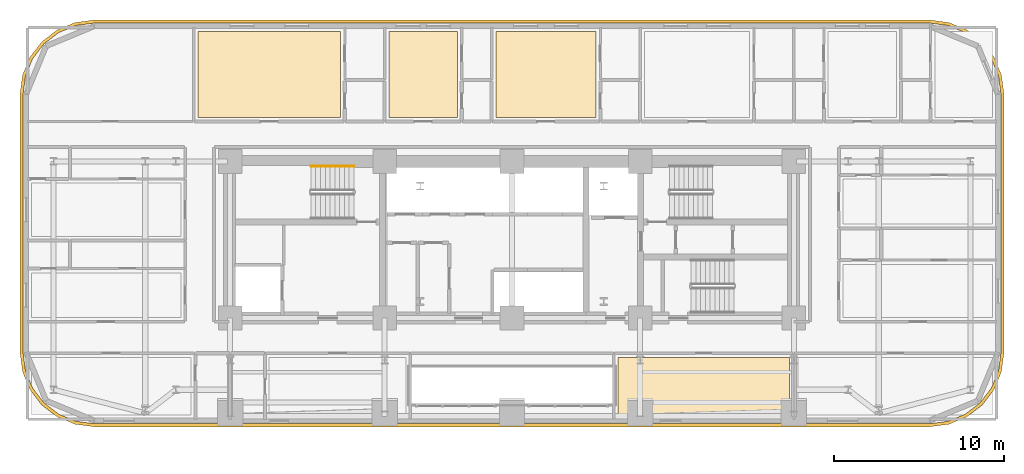
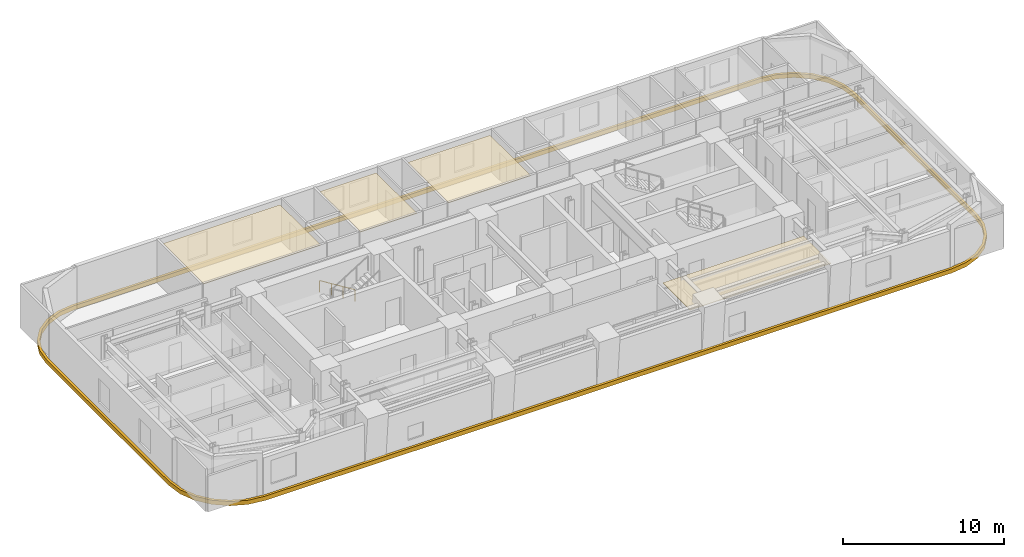
# One storey, part 14 of 15: 5 coverings, 1 railing.
"""IFC4 building model written with IfcOpenShell, lengths in metres."""

import ifcopenshell
import ifcopenshell.guid

model = None  # the IFC model being written
_history = None  # IfcOwnerHistory: only IFC2X3 demands one
_inside = {}  # id of a spatial element -> (the spatial element, [elements in it])
_under = {}  # id of a project, library or spatial element -> (it, [spatial elements below it])
_declared = {}  # id of a project -> (the project, [libraries it declares])
_typed = {}  # id of a type object -> (the type object, [elements of that type])
_made_of = {}  # id of a material, layer set ... -> (it, [elements and type objects made of it])


def new_model(schema):
    """Start an empty IFC model of exactly this schema.

    Asked for "IFC4X3", IfcOpenShell would pick the latest addendum, in which some entities
    have other attributes; the version numbers below select the first issue.
    IFC2X3 requires an IfcOwnerHistory on every rooted entity: one is made here for all.
    """
    global model, _history
    if schema == "IFC4X3":
        model = ifcopenshell.file(schema_version=(4, 3, 0, 0))
    else:
        model = ifcopenshell.file(schema=schema)
    _inside.clear()
    _under.clear()
    _declared.clear()
    _typed.clear()
    _made_of.clear()
    _history = None
    if model.schema == "IFC2X3":
        org = make("IfcOrganization", Name="unknown")
        user = make(
            "IfcPersonAndOrganization",
            ThePerson=make("IfcPerson", FamilyName="unknown"),
            TheOrganization=org,
        )
        app = make(
            "IfcApplication",
            ApplicationDeveloper=org,
            Version="unknown",
            ApplicationFullName="unknown",
            ApplicationIdentifier="unknown",
        )
        _history = make(
            "IfcOwnerHistory",
            OwningUser=user,
            OwningApplication=app,
            ChangeAction="ADDED",
            CreationDate=0,
        )
    return model


def make(cls, **values):
    """One entity of the class cls with the attributes given. An attribute that is None is left unset."""
    return model.create_entity(
        cls, **{name: value for name, value in values.items() if value is not None}
    )


def rooted(cls, **values):
    """An entity with a GlobalId (a new one), such as an element, a storey or a relation."""
    return make(cls, GlobalId=ifcopenshell.guid.new(), OwnerHistory=_history, **values)


def si_unit(unit_type, name, prefix=None):
    """IfcSIUnit, for example si_unit("LENGTHUNIT", "METRE", prefix="MILLI")."""
    return make("IfcSIUnit", UnitType=unit_type, Prefix=prefix, Name=name)


def assignment(units):
    """IfcUnitAssignment: the units of a project."""
    return None if units is None else make("IfcUnitAssignment", Units=units)


def point(xyz):
    """IfcCartesianPoint."""
    return None if xyz is None else make("IfcCartesianPoint", Coordinates=xyz)


def direction(xyz):
    """IfcDirection."""
    return None if xyz is None else make("IfcDirection", DirectionRatios=xyz)


def frame(location, z_axis=None, x_axis=None):
    """IfcAxis2Placement3D, a coordinate frame: its origin and axes. An axis left out is left unset."""
    return make(
        "IfcAxis2Placement3D",
        Location=point(location),
        Axis=direction(z_axis),
        RefDirection=direction(x_axis),
    )


def frame_2d(location, x_axis=None):
    """IfcAxis2Placement2D, a coordinate frame in the plane: its origin and x axis."""
    return make(
        "IfcAxis2Placement2D", Location=point(location), RefDirection=direction(x_axis)
    )


def origin():
    """The frame at (0, 0, 0) with its axes left unset."""
    return frame((0.0, 0.0, 0.0))


def origin_2d():
    """The frame at (0, 0) in the plane with its x axis left unset."""
    return frame_2d((0.0, 0.0))


def place(relative_to, where):
    """IfcLocalPlacement: puts the frame where relative to a parent placement (None: the world)."""
    return make(
        "IfcLocalPlacement", PlacementRelTo=relative_to, RelativePlacement=where
    )


def context(
    kind, dimensions, precision=None, world=None, true_north=None, identifier=None
):
    """IfcGeometricRepresentationContext, for example the 3D "Model" context."""
    return make(
        "IfcGeometricRepresentationContext",
        ContextIdentifier=identifier,
        ContextType=kind,
        CoordinateSpaceDimension=dimensions,
        Precision=precision,
        WorldCoordinateSystem=world,
        TrueNorth=true_north,
    )


def subcontext(parent, identifier, kind, view, scale=None):
    """IfcGeometricRepresentationSubContext, for example "Body" below "Model"."""
    return make(
        "IfcGeometricRepresentationSubContext",
        ContextIdentifier=identifier,
        ContextType=kind,
        ParentContext=parent,
        TargetScale=scale,
        TargetView=view,
    )


def project(units=None, contexts=None):
    """IfcProject with its units and contexts."""
    return rooted(
        "IfcProject",
        Name="project",
        RepresentationContexts=contexts,
        UnitsInContext=assignment(units),
    )


def spatial(cls, under=None, at=None, **own):
    """A site, building, storey or space (cls), placed at a placement, below another one or the project."""
    s = rooted(cls, ObjectPlacement=at, **own)
    if under is not None:
        _under.setdefault(under.id(), (under, []))[1].append(s)
    return s


def polyline(points):
    """IfcPolyline through the points."""
    return make("IfcPolyline", Points=[point(p) for p in points])


def profile(cls, at=None, kind="AREA", **sizes):
    """A parametric profile (cls). Its sizes go by their IFC names, for example OverallWidth=200.0."""
    return make(cls, ProfileType=kind, Position=at, **sizes)


def rectangle(**sizes):
    """IfcRectangleProfileDef."""
    return profile("IfcRectangleProfileDef", **sizes)


def outline(outer, holes=None, kind="AREA"):
    """IfcArbitraryClosedProfileDef: a profile drawn as a closed curve; with holes, ...WithVoids."""
    if holes is None:
        return make("IfcArbitraryClosedProfileDef", ProfileType=kind, OuterCurve=outer)
    return make(
        "IfcArbitraryProfileDefWithVoids",
        ProfileType=kind,
        OuterCurve=outer,
        InnerCurves=holes,
    )


def extrude(swept, where, along, depth):
    """IfcExtrudedAreaSolid: the profile swept, set in the frame where, extruded along a direction by depth."""
    return make(
        "IfcExtrudedAreaSolid",
        SweptArea=swept,
        Position=where,
        ExtrudedDirection=direction(along),
        Depth=depth,
    )


def shape(context_of_items, identifier, shape_type, items):
    """IfcShapeRepresentation: the items that make up one representation, for example the "Body"."""
    return make(
        "IfcShapeRepresentation",
        ContextOfItems=context_of_items,
        RepresentationIdentifier=identifier,
        RepresentationType=shape_type,
        Items=items,
    )


def material(Name=None, Category=None):
    """IfcMaterial."""
    return make("IfcMaterial", Name=Name, Category=Category)


def layer(
    of_material, thickness, ventilated=None, Name=None, Category=None, Priority=None
):
    """IfcMaterialLayer: one layer of a wall or slab, of a material (None: an air gap)."""
    return make(
        "IfcMaterialLayer",
        Material=of_material,
        LayerThickness=thickness,
        IsVentilated=ventilated,
        Name=Name,
        Category=Category,
        Priority=Priority,
    )


def layer_set(layers, Name=None):
    """IfcMaterialLayerSet."""
    return make("IfcMaterialLayerSet", MaterialLayers=layers, LayerSetName=Name)


def made_of(thing, what):
    """Note that an element or type object is made of a material, layer set ...; save() writes the relation."""
    if what is not None:
        _made_of.setdefault(what.id(), (what, []))[1].append(thing)
    return thing


def type_object(cls, material=None, **own):
    """A type object (cls), such as IfcWallType, which elements share."""
    return made_of(rooted(cls, **own), material)


def element(
    cls,
    number,
    at=None,
    inside=None,
    cuts=None,
    type_object=None,
    material=None,
    context=None,
    identifier="Body",
    shape_type=None,
    held_by="IfcProductDefinitionShape",
    body=None,
    shapes=None,
    **own,
):
    """One element of the class cls, such as IfcWall. Its Tag is "e" and its number.

    at: its placement. inside: the storey or other place that contains it. cuts: it is an
    opening in that element (IfcRelVoidsElement). A single representation is given by context,
    identifier, shape_type and body (its items); several are given by shapes. held_by: the class
    of the entity that holds the representations. save() writes the other relations.
    """
    e = rooted(cls, Tag="e%d" % number, ObjectPlacement=at, **own)
    if body is not None:
        shapes = [shape(context, identifier, shape_type, body)]
    if shapes is not None:
        e.Representation = make(held_by, Representations=shapes)
    if inside is not None:
        _inside.setdefault(inside.id(), (inside, []))[1].append(e)
    if cuts is not None:
        rooted(
            "IfcRelVoidsElement", RelatingBuildingElement=cuts, RelatedOpeningElement=e
        )
    if type_object is not None:
        _typed.setdefault(type_object.id(), (type_object, []))[1].append(e)
    return made_of(e, material)


def aggregate(whole, parts):
    """IfcRelAggregates: a whole, such as a stair, and the parts it consists of."""
    return rooted("IfcRelAggregates", RelatingObject=whole, RelatedObjects=parts)


def save(model, path):
    """Write the relations noted so far, then the file.

    IfcRelAggregates (storeys below a building ...), IfcRelContainedInSpatialStructure (elements
    in a storey), IfcRelDefinesByType, IfcRelAssociatesMaterial and IfcRelDeclares: one each for
    every whole, place, type object, material and project.
    """
    for whole, parts in _under.values():
        aggregate(whole, parts)
    for where, things in _inside.values():
        rooted(
            "IfcRelContainedInSpatialStructure",
            RelatedElements=things,
            RelatingStructure=where,
        )
    for kind, things in _typed.values():
        rooted("IfcRelDefinesByType", RelatedObjects=things, RelatingType=kind)
    for what, things in _made_of.values():
        rooted("IfcRelAssociatesMaterial", RelatedObjects=things, RelatingMaterial=what)
    for by, libraries in _declared.values():
        rooted("IfcRelDeclares", RelatingContext=by, RelatedDefinitions=libraries)
    model.write(path)


model = new_model("IFC4")

# Units and contexts
model_context = context("Model", 3, precision=1e-05, world=origin(), true_north=direction((0.0, 1.0)))
body_context = subcontext(model_context, "Body", "Model", "MODEL_VIEW")
ifc_project = project(units=[si_unit("LENGTHUNIT", "METRE"), si_unit("AREAUNIT", "SQUARE_METRE"), si_unit("VOLUMEUNIT", "CUBIC_METRE"), si_unit("PLANEANGLEUNIT", "RADIAN"), si_unit("MASSUNIT", "GRAM", prefix="KILO")], contexts=[model_context])

# Site, building, storey
site_placement = place(None, origin())
site = spatial("IfcSite", under=ifc_project, at=site_placement, CompositionType="ELEMENT")
building_placement = place(site_placement, origin())
building = spatial("IfcBuilding", under=site, at=building_placement, Name="Zarnavel Station Tower", CompositionType="ELEMENT")
storey_placement = place(building_placement, frame((0.0, 0.0, 43.0)))
storey = spatial("IfcBuildingStorey", under=building, at=storey_placement, Name="L11", CompositionType="ELEMENT", Elevation=43.0)

# Coverings
ifc_material_1 = material(Name="Perforated Gypsum and Mineral-Wool Acoustic Ceiling", Category="concrete")
ifc_layer = layer(ifc_material_1, 0.0400390625)
ifc_layer_set = layer_set([ifc_layer], Name="COV_CEIL_ACOUSTIC")
covering_type_1 = type_object("IfcCoveringType", Name="COV_CEIL_ACOUSTIC", PredefinedType="CEILING", material=ifc_layer_set)
covering_1_placement = place(storey_placement, frame((0.0, 0.0, 2.919921875)))
element("IfcCovering", 1, at=covering_1_placement, inside=storey, type_object=covering_type_1, Name="L11 HN1R Acoustic Ceiling", PredefinedType="CEILING", context=body_context, shape_type="SweptSolid", body=[
    extrude(outline(polyline([(10.31005859375, 39.64990234375), (18.699951171875, 39.64990234375), (18.699951171875, 44.68994140625), (10.31005859375, 44.68994140625), (10.31005859375, 39.64990234375)])), origin(), (0.0, 0.0, 1.0), 0.0400390625),
])
covering_2_placement = place(storey_placement, frame((0.0, 0.0, 2.919921875)))
element("IfcCovering", 2, at=covering_2_placement, inside=storey, type_object=covering_type_1, Name="L11 HN2R Acoustic Ceiling", PredefinedType="CEILING", context=body_context, shape_type="SweptSolid", body=[
    extrude(outline(polyline([(21.550048828125, 39.64990234375), (25.589111328125, 39.64990234375), (25.589111328125, 44.68994140625), (21.550048828125, 44.68994140625), (21.550048828125, 39.64990234375)])), origin(), (0.0, 0.0, 1.0), 0.0400390625),
])
covering_3_placement = place(storey_placement, frame((0.0, 0.0, 2.919921875)))
element("IfcCovering", 3, at=covering_3_placement, inside=storey, type_object=covering_type_1, Name="L11 HN3R Acoustic Ceiling", PredefinedType="CEILING", context=body_context, shape_type="SweptSolid", body=[
    extrude(outline(polyline([(27.85400390625, 39.64990234375), (33.75, 39.64990234375), (33.75, 44.68994140625), (27.85400390625, 44.68994140625), (27.85400390625, 39.64990234375)])), origin(), (0.0, 0.0, 1.0), 0.0400390625),
])
covering_4_placement = place(storey_placement, frame((0.0, 0.0, 2.919921875)))
element("IfcCovering", 4, at=covering_4_placement, inside=storey, type_object=covering_type_1, Name="L11 Z1CNF Acoustic Ceiling", PredefinedType="CEILING", context=body_context, shape_type="SweptSolid", body=[
    extrude(outline(polyline([(35.050048828125, 22.110107421875), (45.14990234375, 22.110107421875), (45.14990234375, 25.5), (35.050048828125, 25.5), (35.050048828125, 22.110107421875)])), origin(), (0.0, 0.0, 1.0), 0.0400390625),
])
ifc_material_2 = material(Name="Precast concrete C45/55 (Pale Travertine Slab Band)", Category="masonry")
covering_type_2 = type_object("IfcCoveringType", Name="COV_TRAVERTINE_BAND", PredefinedType="CLADDING", material=ifc_material_2)
covering_5_placement = place(storey_placement, frame((0.0, 0.0, -0.260009765625)))
element("IfcCovering", 5, at=covering_5_placement, inside=storey, type_object=covering_type_2, Name="L11 Pale Travertine Slab-Edge Band", PredefinedType="CLADDING", context=body_context, shape_type="SweptSolid", body=[
    extrude(outline(polyline([(53.39990234375, 21.419921875), (54.53369140625, 21.569091796875), (55.590087890625, 22.0068359375), (56.4970703125, 22.702880859375), (57.193115234375, 23.610107421875), (57.630859375, 24.66650390625), (57.780029296875, 25.800048828125), (57.780029296875, 41.0), (57.630859375, 42.133544921875), (57.193115234375, 43.18994140625), (56.4970703125, 44.09716796875), (55.590087890625, 44.793212890625), (54.53369140625, 45.230712890625), (53.39990234375, 45.3798828125), (4.199951171875, 45.3798828125), (3.06640625, 45.230712890625), (2.010009765625, 44.793212890625), (1.102783203125, 44.09716796875), (0.40673828125, 43.18994140625), (-0.03076171875, 42.133544921875), (-0.179931640625, 41.0), (-0.179931640625, 25.800048828125), (-0.03076171875, 24.66650390625), (0.40673828125, 23.610107421875), (1.102783203125, 22.702880859375), (2.010009765625, 22.0068359375), (3.06640625, 21.569091796875), (4.199951171875, 21.419921875), (53.39990234375, 21.419921875)]), holes=[polyline([(53.39990234375, 21.60009765625), (54.487060546875, 21.7431640625), (55.5, 22.16259765625), (56.369873046875, 22.830078125), (57.037353515625, 23.699951171875), (57.456787109375, 24.712890625), (57.60009765625, 25.800048828125), (57.60009765625, 41.0), (57.456787109375, 42.0869140625), (57.037353515625, 43.10009765625), (56.369873046875, 43.9697265625), (55.5, 44.63720703125), (54.487060546875, 45.056884765625), (53.39990234375, 45.199951171875), (4.199951171875, 45.199951171875), (3.113037109375, 45.056884765625), (2.10009765625, 44.63720703125), (1.230224609375, 43.9697265625), (0.562744140625, 43.10009765625), (0.14306640625, 42.0869140625), (0.0, 41.0), (0.0, 25.800048828125), (0.14306640625, 24.712890625), (0.562744140625, 23.699951171875), (1.230224609375, 22.830078125), (2.10009765625, 22.16259765625), (3.113037109375, 21.7431640625), (4.199951171875, 21.60009765625), (53.39990234375, 21.60009765625)])]), origin(), (0.0, 0.0, 1.0), 0.320068359375),
])

# Railing
ifc_material_3 = material(Name="Brushed Stainless Steel S355J2 Handrail", Category="steel")
railing_type = type_object("IfcRailingType", Name="HR_STAIR_900", PredefinedType="HANDRAIL", material=ifc_material_3)
railing_placement = place(storey_placement, frame((19.47998046875, 36.77001953125, 0.175048828125)))
element("IfcRailing", 6, at=railing_placement, inside=storey, type_object=railing_type, Name="L11 ST1 stair handrail 1", PredefinedType="HANDRAIL", context=body_context, shape_type="SweptSolid", body=[
    extrude(rectangle(XDim=0.048095703125, YDim=0.048095703125, at=origin_2d()), frame((-0.001708984375, 0.0, 0.876953125), z_axis=(-0.848007534815, 0.0, 0.529984170421), x_axis=(0.0, -1.0, 0.0)), (0.0, 0.0, 1.0), 2.9677734375),
    extrude(rectangle(XDim=0.0419921875, YDim=0.0419921875, at=origin_2d()), origin(), (0.0, 0.0, 1.0), 0.851806640625),
    extrude(rectangle(XDim=0.0419921875, YDim=0.0419921875, at=origin_2d()), frame((-0.840087890625, 0.0, 0.52490234375)), (0.0, 0.0, 1.0), 0.851806640625),
    extrude(rectangle(XDim=0.0419921875, YDim=0.0419921875, at=origin_2d()), frame((-1.679931640625, 0.0, 1.050048828125)), (0.0, 0.0, 1.0), 0.851806640625),
    extrude(rectangle(XDim=0.0419921875, YDim=0.0419921875, at=origin_2d()), frame((-2.52001953125, 0.0, 1.574951171875)), (0.0, 0.0, 1.0), 0.851806640625),
])

save(model, "model.ifc")
